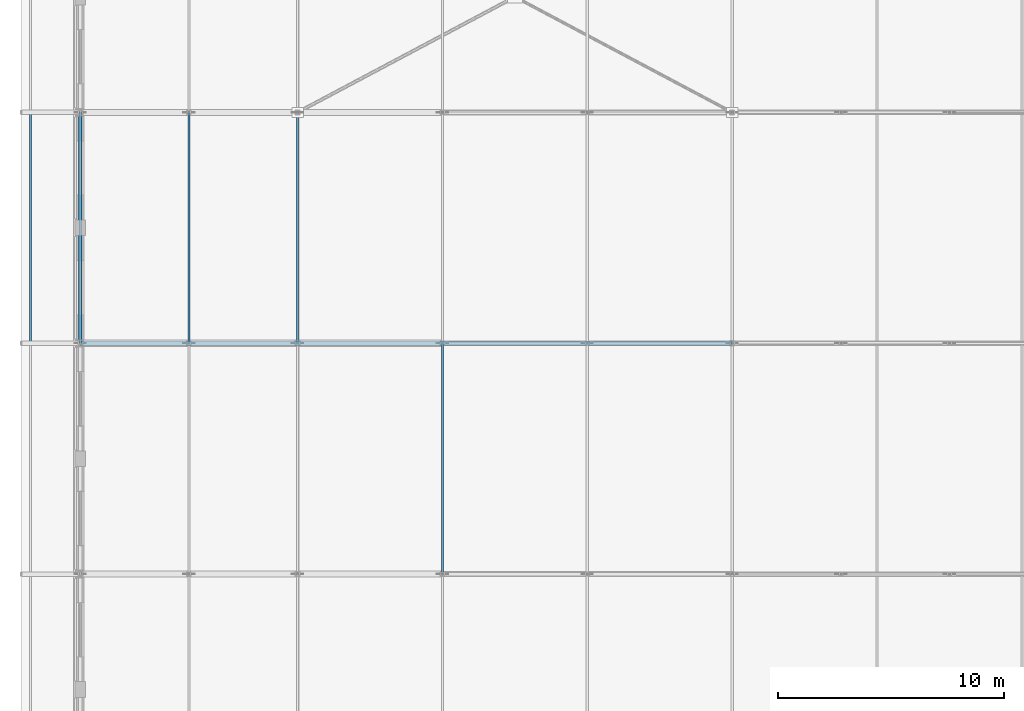
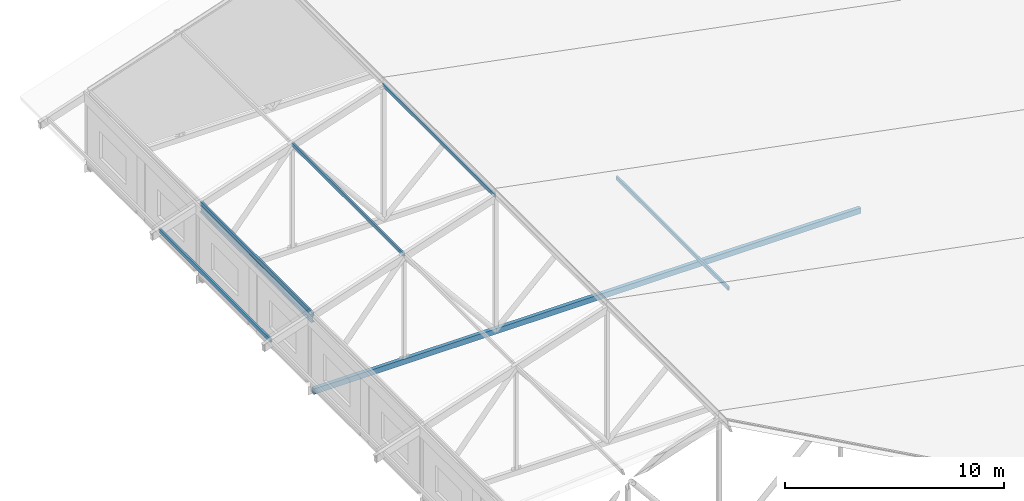
# One storey, part 66 of 200: 6 members, 2 beams.
"""IFC4 building model written with IfcOpenShell, lengths in metres."""

from ifc_helpers import new_model, si_unit, direction, frame, origin, origin_2d, place, context, subcontext, project, spatial, hollow_rectangle, i_section, extrude, material, material_profile, profile_set, type_object, element, save


model = new_model("IFC4")

# Units and contexts
model_context = context("Model", 3, precision=1e-05, world=origin(), true_north=direction((0.0, 1.0)))
body_context = subcontext(model_context, "Body", "Model", "MODEL_VIEW")
ifc_project = project(units=[si_unit("LENGTHUNIT", "METRE"), si_unit("AREAUNIT", "SQUARE_METRE"), si_unit("VOLUMEUNIT", "CUBIC_METRE"), si_unit("PLANEANGLEUNIT", "RADIAN"), si_unit("MASSUNIT", "GRAM", prefix="KILO")], contexts=[model_context])

# Site, building, storey
site_placement = place(None, origin())
site = spatial("IfcSite", under=ifc_project, at=site_placement, CompositionType="ELEMENT")
building_placement = place(site_placement, origin())
building = spatial("IfcBuilding", under=site, at=building_placement, Name="Vondelvale Polytechnic", CompositionType="ELEMENT")
storey_placement = place(building_placement, frame((0.0, 0.0, 13.800048828125)))
storey = spatial("IfcBuildingStorey", under=building, at=storey_placement, Name="L03", CompositionType="ELEMENT", Elevation=13.800048828125)

# Beams
ifc_material_1 = material(Name="Steel 300PLUS (fy = 300 MPa)", Category="steel")
ifc_material_profile_1 = material_profile(ifc_material_1, i_section(OverallWidth=0.172119140625, OverallDepth=0.35888671875, WebThickness=0.008056640625, FlangeThickness=0.012939453125, FilletRadius=0.011474609375, at=origin_2d()), Name="360UB56.7")
ifc_profile_set_1 = profile_set([ifc_material_profile_1], Name="Steel 300PLUS (fy = 300 MPa)")
beam_type = type_object("IfcBeamType", Name="BM-UB360H", PredefinedType="BEAM", material=ifc_profile_set_1)
beam_1_placement = place(storey_placement, frame((0.0, 102.0, 3.570556640625), z_axis=(0.0, 1.0, 0.0), x_axis=(-1.0, 0.0, 0.0)))
element("IfcBeam", 1, at=beam_1_placement, inside=storey, type_object=beam_type, Name="L03 WE B-15", PredefinedType="BEAM", context=body_context, shape_type="SweptSolid", body=[
    extrude(i_section(OverallWidth=0.172119140625, OverallDepth=0.35888671875, WebThickness=0.008056640625, FlangeThickness=0.012939453125, FilletRadius=0.011474609375, at=origin_2d()), origin(), (0.0, 0.0, 1.0), 5.10009765625),
])
beam_2_placement = place(storey_placement, frame((0.0, 107.10009765625, 3.570556640625), z_axis=(0.0, 1.0, 0.0), x_axis=(-1.0, 0.0, 0.0)))
element("IfcBeam", 2, at=beam_2_placement, inside=storey, type_object=beam_type, Name="L03 WE B-15", PredefinedType="BEAM", context=body_context, shape_type="SweptSolid", body=[
    extrude(i_section(OverallWidth=0.172119140625, OverallDepth=0.35888671875, WebThickness=0.008056640625, FlangeThickness=0.012939453125, FilletRadius=0.011474609375, at=origin_2d()), origin(), (0.0, 0.0, 1.0), 5.099853515625),
])

# Members
ifc_material_2 = material(Name="Steel C350L0 (fy = 350 MPa)", Category="steel")
ifc_material_profile_2 = material_profile(ifc_material_2, hollow_rectangle(XDim=0.10009765625, YDim=0.199951171875, WallThickness=0.006103515625, at=origin_2d()), Name="200x100x6.0RHS")
ifc_profile_set_2 = profile_set([ifc_material_profile_2], Name="Steel C350L0 (fy = 350 MPa)")
member_type_1 = type_object("IfcMemberType", Name="PURLIN RHS200", PredefinedType="PURLIN", material=ifc_profile_set_2)
for number, where, z_axis, x_axis, name in (
    (3, (16.0, 91.800048828125, 5.847900390625), (0.0, 1.0, 0.0), (-1.0, 0.0, 0.0), "Workshop roof purlin bay 5"),
    (4, (-2.199951171875, 102.0, 3.140869140625), (0.0, 1.0, 0.0), (-1.0, 0.0, 0.0), "Workshop roof purlin bay 6"),
    (5, (0.0, 102.0, 3.874267578125), (0.0, 1.0, 0.0), (-1.0, 0.0, 0.0), "Workshop roof purlin bay 6"),
    (6, (4.800048828125, 102.0, 5.47412109375), (0.0, 1.0, 0.0), (-1.0, 0.0, 0.0), "Workshop roof purlin bay 6"),
    (7, (9.60009765625, 102.0, 7.07421875), (0.0, 1.0, 0.0), (-1.0, 0.0, 0.0), "Workshop roof purlin bay 6"),
):
    element("IfcMember", number, at=place(storey_placement, frame(where, z_axis=z_axis, x_axis=x_axis)), inside=storey, type_object=member_type_1, Name=name, PredefinedType="PURLIN", context=body_context, shape_type="SweptSolid", body=[
        extrude(hollow_rectangle(XDim=0.10009765625, YDim=0.199951171875, WallThickness=0.006103515625, at=origin_2d()), origin(), (0.0, 0.0, 1.0), 10.199951171875),
    ])
ifc_material_profile_3 = material_profile(ifc_material_2, hollow_rectangle(XDim=0.199951171875, YDim=0.300048828125, WallThickness=0.008056640625, at=origin_2d()), Name="300x200x8.0RHS")
ifc_profile_set_3 = profile_set([ifc_material_profile_3], Name="Steel C350L0 (fy = 350 MPa)")
member_type_2 = type_object("IfcMemberType", Name="ROOF TRUSS BOT CHORD 300RHS", PredefinedType="CHORD", material=ifc_profile_set_3)
member_placement = place(storey_placement, frame((0.0, 102.0, -0.420166015625), z_axis=(1.0, 0.0, 0.0), x_axis=(0.0, 1.0, 0.0)))
element("IfcMember", 8, at=member_placement, inside=storey, type_object=member_type_2, Name="ROOF TRUSS TR-06 bottom chord 1", PredefinedType="CHORD", context=body_context, shape_type="SweptSolid", body=[
    extrude(hollow_rectangle(XDim=0.199951171875, YDim=0.300048828125, WallThickness=0.008056640625, at=origin_2d()), origin(), (0.0, 0.0, 1.0), 28.800048828125),
])

save(model, "model.ifc")
